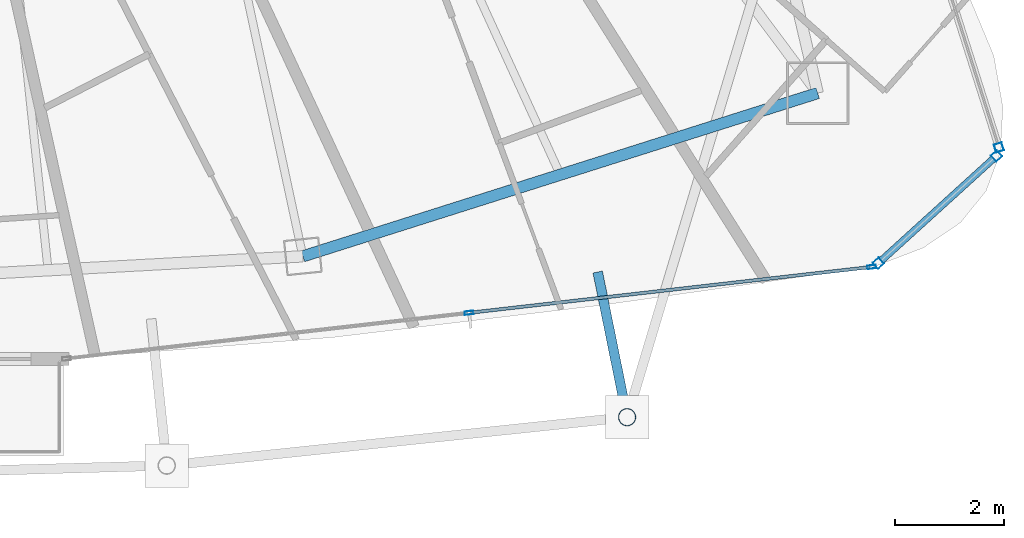
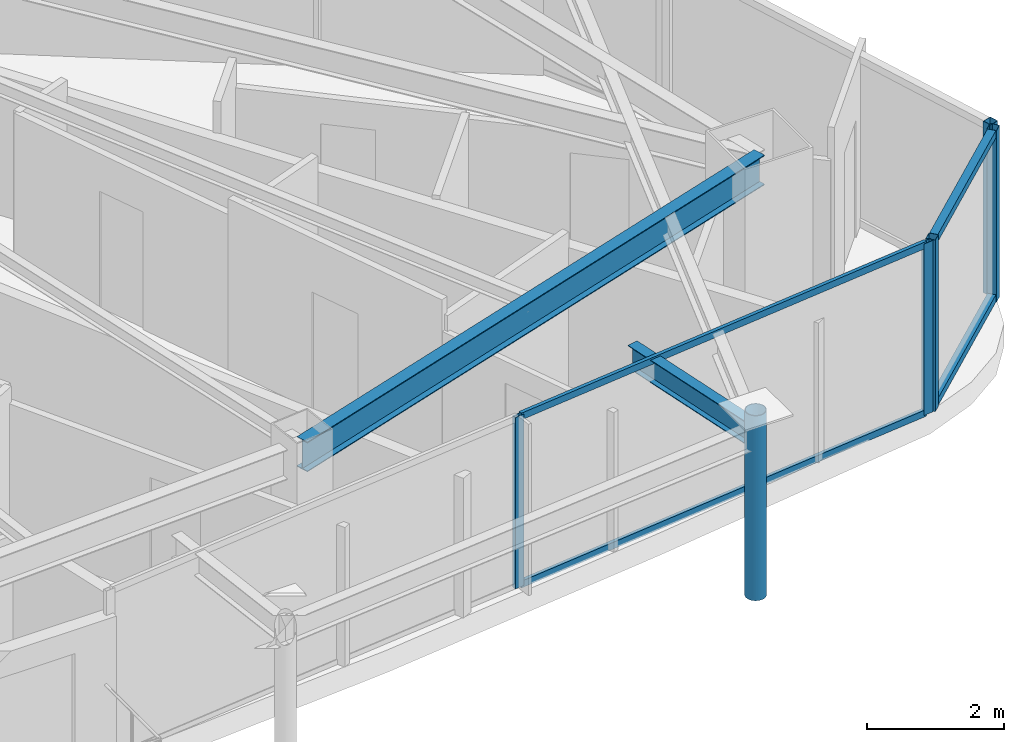
# One storey, part 14 of 29: 10 members, 2 beams, 3 elements without a shape of their own.
"""IFC4 building model written with IfcOpenShell, lengths in metres."""

from ifc_helpers import new_model, si_unit, direction, frame, origin, origin_2d, place, context, subcontext, project, spatial, hollow_rectangle, hollow_circle, i_section, extrude, material, layer, layer_set, material_profile, profile_set, type_object, element, aggregate, save


model = new_model("IFC4")

# Units and contexts
model_context = context("Model", 3, precision=1e-05, world=origin(), true_north=direction((0.0, 1.0)))
body_context = subcontext(model_context, "Body", "Model", "MODEL_VIEW")
ifc_project = project(units=[si_unit("LENGTHUNIT", "METRE"), si_unit("AREAUNIT", "SQUARE_METRE"), si_unit("VOLUMEUNIT", "CUBIC_METRE"), si_unit("PLANEANGLEUNIT", "RADIAN"), si_unit("MASSUNIT", "GRAM", prefix="KILO")], contexts=[model_context])

# Site, building, storey
site_placement = place(None, origin())
site = spatial("IfcSite", under=ifc_project, at=site_placement, CompositionType="ELEMENT")
building_placement = place(site_placement, origin())
building = spatial("IfcBuilding", under=site, at=building_placement, Name="Orvanel Arch Residences", CompositionType="ELEMENT")
storey_placement = place(building_placement, frame((0.0, 0.0, 256.85009765625)))
storey = spatial("IfcBuildingStorey", under=building, at=storey_placement, Name="L73", CompositionType="ELEMENT", Elevation=256.85009765625)

# Curtain wall, members
ifc_material_1 = material(Name="Bronze-anodised aluminium AA6063-T6", Category="aluminium")
ifc_layer_1 = layer(ifc_material_1, 0.18994140625)
ifc_layer_set_1 = layer_set([ifc_layer_1], Name="Bronze-anodised aluminium AA6063-T6")
curtain_wall_type_1 = type_object("IfcCurtainWallType", Name="CW5-CRN-SYS", PredefinedType="NOTDEFINED", material=ifc_layer_set_1)
curtain_wall_1_placement = place(storey_placement, origin())
curtain_wall_1 = element("IfcCurtainWall", 1, at=curtain_wall_1_placement, inside=storey, type_object=curtain_wall_type_1, Name="L73 CW5-CRN-SYS Unitised Curtain Wall", PredefinedType="NOTDEFINED")
ifc_material_profile_1 = material_profile(ifc_material_1, hollow_rectangle(XDim=0.14990234375, YDim=0.14990234375, WallThickness=0.0048828125, at=origin_2d()), Name="ALU150x150x5")
ifc_profile_set_1 = profile_set([ifc_material_profile_1], Name="Bronze-anodised aluminium AA6063-T6")
member_type_1 = type_object("IfcMemberType", Name="MUL-150x150", PredefinedType="MULLION", material=ifc_profile_set_1)
member_1_placement = place(storey_placement, frame((52.91455078125, 7.2294921875, 0.0), z_axis=(0.0, 0.0, 1.0), x_axis=(-0.672204148472, 0.740365843875, 0.0)))
member_1 = element("IfcMember", 2, at=member_1_placement, type_object=member_type_1, Name="CW-S5 mullion 1", PredefinedType="MULLION", context=body_context, shape_type="SweptSolid", body=[
    extrude(hollow_rectangle(XDim=0.14990234375, YDim=0.14990234375, WallThickness=0.0048828125, at=origin_2d()), origin(), (0.0, 0.0, 1.0), 3.059814453125),
])
member_2_placement = place(storey_placement, frame((55.08447265625, 9.199462890625, 0.0), z_axis=(0.0, 0.0, 1.0), x_axis=(-0.672204148472, 0.740365843875, 0.0)))
member_2 = element("IfcMember", 3, at=member_2_placement, type_object=member_type_1, Name="CW-S5 mullion 2", PredefinedType="MULLION", context=body_context, shape_type="SweptSolid", body=[
    extrude(hollow_rectangle(XDim=0.14990234375, YDim=0.14990234375, WallThickness=0.0048828125, at=origin_2d()), origin(), (0.0, 0.0, 1.0), 3.059814453125),
])

# Curtain wall, member
curtain_wall_2_placement = place(storey_placement, origin())
curtain_wall_2 = element("IfcCurtainWall", 4, at=curtain_wall_2_placement, inside=storey, type_object=curtain_wall_type_1, Name="L73 CW5-CRN-SYS Unitised Curtain Wall", PredefinedType="NOTDEFINED")
member_3_placement = place(storey_placement, frame((55.126220703125, 9.353515625, 0.0), z_axis=(0.0, 0.0, 1.0), x_axis=(-0.953089092544, -0.302689910097, 0.0)))
member_3 = element("IfcMember", 5, at=member_3_placement, type_object=member_type_1, Name="CW-S5 mullion 1", PredefinedType="MULLION", context=body_context, shape_type="SweptSolid", body=[
    extrude(hollow_rectangle(XDim=0.14990234375, YDim=0.14990234375, WallThickness=0.0048828125, at=origin_2d()), origin(), (0.0, 0.0, 1.0), 3.059814453125),
])
aggregate(curtain_wall_2, [member_3])

# Curtain wall, members
ifc_layer_2 = layer(ifc_material_1, 0.175048828125)
ifc_layer_set_2 = layer_set([ifc_layer_2], Name="Bronze-anodised aluminium AA6063-T6")
curtain_wall_type_2 = type_object("IfcCurtainWallType", Name="CW4-HI-SYS", PredefinedType="NOTDEFINED", material=ifc_layer_set_2)
curtain_wall_3_placement = place(storey_placement, origin())
curtain_wall_3 = element("IfcCurtainWall", 6, at=curtain_wall_3_placement, inside=storey, type_object=curtain_wall_type_2, Name="L73 CW4-HI-SYS Unitised Curtain Wall", PredefinedType="NOTDEFINED")
ifc_material_profile_2 = material_profile(ifc_material_1, hollow_rectangle(XDim=0.06494140625, YDim=0.159912109375, WallThickness=0.00390625, at=origin_2d()), Name="ALU160x65x4")
ifc_profile_set_2 = profile_set([ifc_material_profile_2], Name="Bronze-anodised aluminium AA6063-T6")
member_type_2 = type_object("IfcMemberType", Name="MUL-160x65", PredefinedType="MULLION", material=ifc_profile_set_2)
member_4_placement = place(storey_placement, frame((45.402587890625, 6.318115234375, 0.0), z_axis=(0.0, 0.0, 1.0), x_axis=(-0.113259630878, 0.993565426136, 0.0)))
member_4 = element("IfcMember", 7, at=member_4_placement, type_object=member_type_2, Name="CW-S4 mullion 2", PredefinedType="MULLION", context=body_context, shape_type="SweptSolid", body=[
    extrude(hollow_rectangle(XDim=0.06494140625, YDim=0.159912109375, WallThickness=0.00390625, at=origin_2d()), origin(), (0.0, 0.0, 1.0), 3.059814453125),
])
member_5_placement = place(storey_placement, frame((52.791748046875, 7.160400390625, 0.0), z_axis=(0.0, 0.0, 1.0), x_axis=(-0.113259630878, 0.993565426136, 0.0)))
member_5 = element("IfcMember", 8, at=member_5_placement, type_object=member_type_2, Name="CW-S4 mullion 3", PredefinedType="MULLION", context=body_context, shape_type="SweptSolid", body=[
    extrude(hollow_rectangle(XDim=0.06494140625, YDim=0.159912109375, WallThickness=0.00390625, at=origin_2d()), origin(), (0.0, 0.0, 1.0), 3.059814453125),
])

# Beams
ifc_material_2 = material(Name="Structural steel AS/NZS 3679.1 Grade 300 (300 MPa)", Category="steel")
ifc_material_profile_3 = material_profile(ifc_material_2, i_section(OverallWidth=0.177978515625, OverallDepth=0.406005859375, WebThickness=0.0078125, FlangeThickness=0.0126953125, at=origin_2d()), Name="410UB59.7")
ifc_profile_set_3 = profile_set([ifc_material_profile_3], Name="Structural steel AS/NZS 3679.1 Grade 300 (300 MPa)")
beam_type_1 = type_object("IfcBeamType", Name="OB-410UB-EXT", PredefinedType="SPANDREL", material=ifc_profile_set_3)
beam_1_placement = place(storey_placement, frame((47.762939453125, 7.068115234375, 2.85693359375), z_axis=(0.198531946026, -0.980094417088, 0.0), x_axis=(0.980094417088, 0.198531946026, 0.0)))
element("IfcBeam", 9, at=beam_1_placement, inside=storey, type_object=beam_type_1, Name="L73 Outer Frame Radial Tie Beam 08", PredefinedType="SPANDREL", context=body_context, shape_type="SweptSolid", body=[
    extrude(i_section(OverallWidth=0.177978515625, OverallDepth=0.406005859375, WebThickness=0.0078125, FlangeThickness=0.0126953125, at=origin_2d()), origin(), (0.0, 0.0, 1.0), 2.72021484375),
])
ifc_material_profile_4 = material_profile(ifc_material_2, i_section(OverallWidth=0.208984375, OverallDepth=0.532958984375, WebThickness=0.01025390625, FlangeThickness=0.015625, at=origin_2d()), Name="530UB92.4")
ifc_profile_set_4 = profile_set([ifc_material_profile_4], Name="Structural steel AS/NZS 3679.1 Grade 300 (300 MPa)")
beam_type_2 = type_object("IfcBeamType", Name="SP-530UB", PredefinedType="SPANDREL", material=ifc_profile_set_4)
beam_2_placement = place(storey_placement, frame((42.35107421875, 7.35498046875, 2.7939453125), z_axis=(0.953237386592, 0.302222574941, 0.0), x_axis=(-0.302222574941, 0.953237386592, 0.0)))
element("IfcBeam", 10, at=beam_2_placement, inside=storey, type_object=beam_type_2, Name="L73 Perimeter Spandrel Beam 05", PredefinedType="SPANDREL", context=body_context, shape_type="SweptSolid", body=[
    extrude(i_section(OverallWidth=0.208984375, OverallDepth=0.532958984375, WebThickness=0.01025390625, FlangeThickness=0.015625, at=origin_2d()), origin(), (0.0, 0.0, 1.0), 9.91357421875),
])

# Member
ifc_material_3 = material(Name="Structural steel AS/NZS 1163 C350L0 (Grade 350)", Category="steel")
ifc_material_profile_5 = material_profile(ifc_material_3, hollow_circle(Radius=0.162109375, WallThickness=0.0126953125, at=origin_2d()), Name="CHS324x12.7")
ifc_profile_set_5 = profile_set([ifc_material_profile_5], Name="Structural steel AS/NZS 1163 C350L0 (Grade 350)")
member_type_3 = type_object("IfcMemberType", Name="ST-324CHS-EXT", PredefinedType="STRUT", material=ifc_profile_set_5)
member_6_placement = place(storey_placement, frame((48.302978515625, 4.402099609375, 0.0), z_axis=(0.0, 0.0, 1.0), x_axis=(1.0, 0.0, 0.0)))
element("IfcMember", 11, at=member_6_placement, inside=storey, type_object=member_type_3, Name="L73 Outer Perimeter Frame Post 08", PredefinedType="STRUT", context=body_context, shape_type="SweptSolid", body=[
    extrude(hollow_circle(Radius=0.162109375, WallThickness=0.0126953125, at=origin_2d()), origin(), (0.0, 0.0, 1.0), 3.2998046875),
])

ifc_material_profile_6 = material_profile(ifc_material_1, hollow_rectangle(XDim=0.06005859375, YDim=0.1201171875, WallThickness=0.00341796875, at=origin_2d()), Name="ALU120x60x3.5")
ifc_profile_set_6 = profile_set([ifc_material_profile_6], Name="Bronze-anodised aluminium AA6063-T6")
member_type_4 = type_object("IfcMemberType", Name="TRN-120x60", PredefinedType="USERDEFINED", material=ifc_profile_set_6)
member_7_placement = place(storey_placement, frame((45.434814453125, 6.32177734375, 0.02978515625), z_axis=(0.993565507484, 0.113258917259, 0.0), x_axis=(-0.113258917259, 0.993565507484, 0.0)))
member_7 = element("IfcMember", 12, at=member_7_placement, type_object=member_type_4, Name="CW-S4 transom 2.1", ObjectType="TRANSOM", PredefinedType="USERDEFINED", context=body_context, shape_type="SweptSolid", body=[
    extrude(hollow_rectangle(XDim=0.06005859375, YDim=0.1201171875, WallThickness=0.00341796875, at=origin_2d()), origin(), (0.0, 0.0, 1.0), 7.3720703125),
])

member_8_placement = place(storey_placement, frame((45.434814453125, 6.32177734375, 3.02978515625), z_axis=(0.993565507484, 0.113258917259, 0.0), x_axis=(-0.113258917259, 0.993565507484, 0.0)))
member_8 = element("IfcMember", 13, at=member_8_placement, type_object=member_type_4, Name="CW-S4 transom 2.2", ObjectType="TRANSOM", PredefinedType="USERDEFINED", context=body_context, shape_type="SweptSolid", body=[
    extrude(hollow_rectangle(XDim=0.06005859375, YDim=0.1201171875, WallThickness=0.00341796875, at=origin_2d()), origin(), (0.0, 0.0, 1.0), 7.3720703125),
])

aggregate(curtain_wall_3, [member_4, member_5, member_7, member_8])

ifc_material_profile_7 = material_profile(ifc_material_1, hollow_rectangle(XDim=0.1298828125, YDim=0.1298828125, WallThickness=0.00439453125, at=origin_2d()), Name="ALU130x130x4.5")
ifc_profile_set_7 = profile_set([ifc_material_profile_7], Name="Bronze-anodised aluminium AA6063-T6")
member_type_5 = type_object("IfcMemberType", Name="TRN-130x130", PredefinedType="USERDEFINED", material=ifc_profile_set_7)
member_9_placement = place(storey_placement, frame((52.969970703125, 7.27978515625, 0.06494140625), z_axis=(0.740388770203, 0.672178896543, 0.0), x_axis=(-0.672178896543, 0.740388770203, 0.0)))
member_9 = element("IfcMember", 14, at=member_9_placement, type_object=member_type_5, Name="CW-S5 transom 1.1", ObjectType="TRANSOM", PredefinedType="USERDEFINED", context=body_context, shape_type="SweptSolid", body=[
    extrude(hollow_rectangle(XDim=0.1298828125, YDim=0.1298828125, WallThickness=0.00439453125, at=origin_2d()), origin(), (0.0, 0.0, 1.0), 2.781005859375),
])

member_10_placement = place(storey_placement, frame((52.969970703125, 7.27978515625, 2.994873046875), z_axis=(0.740388770203, 0.672178896543, 0.0), x_axis=(-0.672178896543, 0.740388770203, 0.0)))
member_10 = element("IfcMember", 15, at=member_10_placement, type_object=member_type_5, Name="CW-S5 transom 1.2", ObjectType="TRANSOM", PredefinedType="USERDEFINED", context=body_context, shape_type="SweptSolid", body=[
    extrude(hollow_rectangle(XDim=0.1298828125, YDim=0.1298828125, WallThickness=0.00439453125, at=origin_2d()), origin(), (0.0, 0.0, 1.0), 2.781005859375),
])

aggregate(curtain_wall_1, [member_1, member_2, member_9, member_10])

save(model, "model.ifc")
